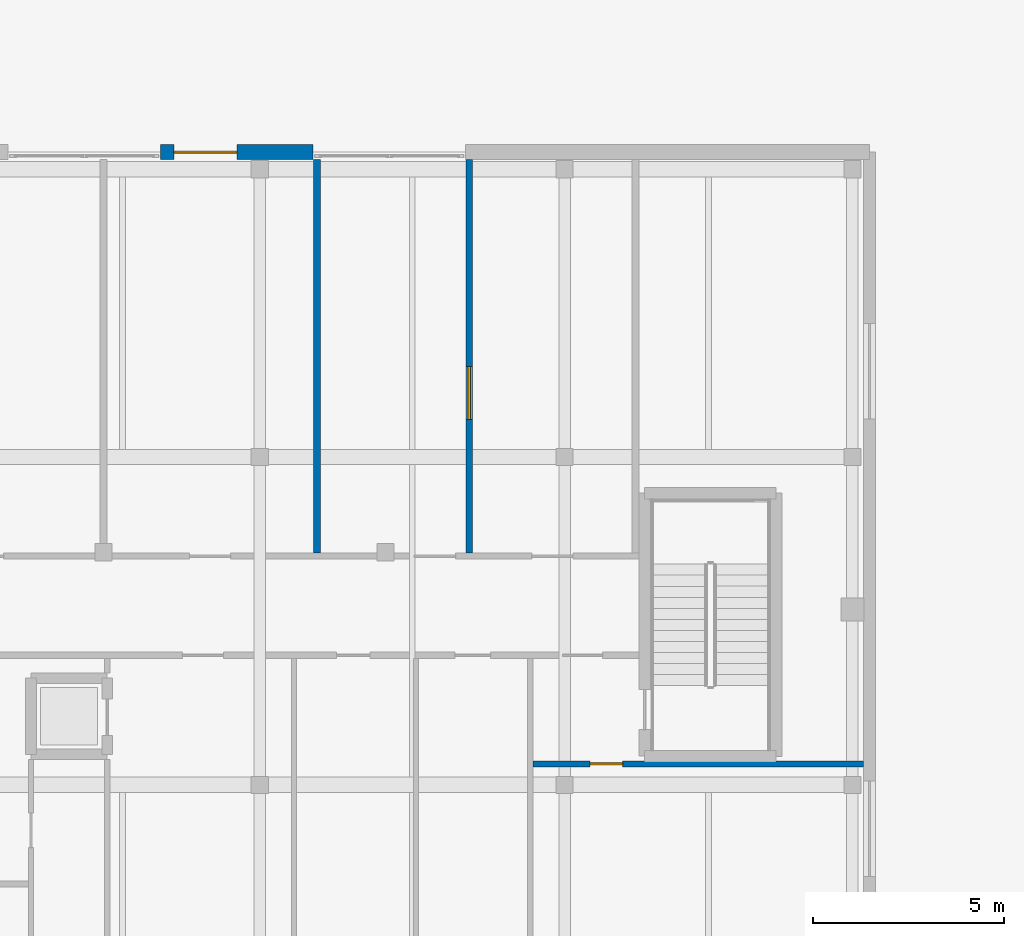
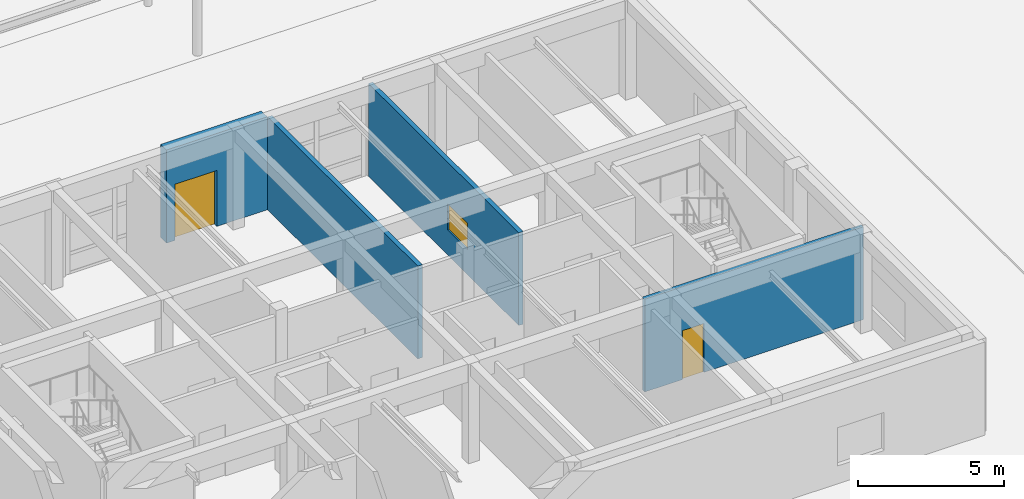
# One storey, part 72 of 114: 4 walls, 2 doors, 1 window, 3 openings.
"""IFC4 building model written with IfcOpenShell, lengths in metres."""

from ifc_helpers import new_model, si_unit, direction, frame, frame_2d, origin, place, context, subcontext, project, spatial, rectangle, extrude, material, layer, layer_set, type_object, element, fill, save


model = new_model("IFC4")

# Units and contexts
model_context = context("Model", 3, precision=1e-05, world=origin(), true_north=direction((0.0, 1.0)))
body_context = subcontext(model_context, "Body", "Model", "MODEL_VIEW")
ifc_project = project(units=[si_unit("LENGTHUNIT", "METRE"), si_unit("AREAUNIT", "SQUARE_METRE"), si_unit("VOLUMEUNIT", "CUBIC_METRE"), si_unit("PLANEANGLEUNIT", "RADIAN"), si_unit("MASSUNIT", "GRAM", prefix="KILO")], contexts=[model_context])

# Site, building, storey
site_placement = place(None, origin())
site = spatial("IfcSite", under=ifc_project, at=site_placement, CompositionType="ELEMENT")
building_placement = place(site_placement, origin())
building = spatial("IfcBuilding", under=site, at=building_placement, Name="Keldmere Railside Commons", CompositionType="ELEMENT")
storey_placement = place(building_placement, origin())
storey = spatial("IfcBuildingStorey", under=building, at=storey_placement, Name="L00", CompositionType="ELEMENT", Elevation=0.0)

# Wall
ifc_material_1 = material(Name="Acoustic Gypsum Board Partition", Category="gypsum")
ifc_layer_1 = layer(ifc_material_1, 0.179931640625, Name="Acoustic Demising Partition 180")
ifc_layer_set_1 = layer_set([ifc_layer_1], Name="Acoustic Gypsum Board Partition")
wall_type_1 = type_object("IfcWallType", Name="Acoustic Demising Partition 180", PredefinedType="PARTITIONING", material=ifc_layer_set_1)
wall_1_placement = place(storey_placement, frame((25.5, 29.47998046875, 0.0), z_axis=(0.0, 0.0, 1.0), x_axis=(0.0, 1.0, 0.0)))
element("IfcWall", 1, at=wall_1_placement, inside=storey, type_object=wall_type_1, Name="IW-1 IW-L00-0108", PredefinedType="PARTITIONING", context=body_context, shape_type="SweptSolid", body=[
    extrude(rectangle(XDim=10.320068359375, YDim=0.179931640625, at=frame_2d((5.16015625, 0.0))), origin(), (0.0, 0.0, 1.0), 3.889892578125),
])

# Wall, opening, window
wall_2_placement = place(storey_placement, frame((29.5, 29.47998046875, 0.0), z_axis=(0.0, 0.0, 1.0), x_axis=(0.0, 1.0, 0.0)))
wall_2 = element("IfcWall", 2, at=wall_2_placement, inside=storey, type_object=wall_type_1, Name="IW-1 IW-L00-0109", PredefinedType="PARTITIONING", context=body_context, shape_type="SweptSolid", body=[
    extrude(rectangle(XDim=10.320068359375, YDim=0.179931640625, at=frame_2d((5.16015625, 0.0))), origin(), (0.0, 0.0, 1.0), 3.889892578125),
])
opening_1_placement = place(wall_2_placement, frame((3.5, 0.0, 1.050048828125)))
opening_1 = element("IfcOpeningElement", 3, at=opening_1_placement, cuts=wall_2, Name="Opening WN-42", PredefinedType="OPENING", context=body_context, shape_type="SweptSolid", body=[
    extrude(rectangle(XDim=1.39990234375, YDim=1.10009765625, at=frame_2d((0.699951171875, 0.550048828125))), frame((0.0, 0.099853515625, 0.0), z_axis=(0.0, -1.0, 0.0), x_axis=(1.0, 0.0, 0.0)), (0.0, 0.0, 1.0), 0.199951171875),
])
ifc_material_2 = material(Name="Low-E Insulated Double Glazing", Category="glass")
window_type = type_object("IfcWindowType", Name="Interior Nursery Observation Borrowed-Light Window 1400x1100", PartitioningType="SINGLE_PANEL", PredefinedType="WINDOW", material=ifc_material_2)
window_placement = place(opening_1_placement, origin())
window = element("IfcWindow", 4, at=window_placement, inside=storey, type_object=window_type, Name="WN-42 Nursery Observation Window", OverallHeight=1.10009765625, OverallWidth=1.39990234375, PartitioningType="SINGLE_PANEL", PredefinedType="WINDOW", context=body_context, shape_type="SweptSolid", body=[
    extrude(rectangle(XDim=1.39990234375, YDim=1.10009765625, at=frame_2d((0.699951171875, 0.550048828125))), frame((0.0, 0.030029296875, 0.0), z_axis=(0.0, -1.0, 0.0), x_axis=(1.0, 0.0, 0.0)), (0.0, 0.0, 1.0), 0.06005859375),
])
fill(opening_1, window)

# Wall, opening, door
ifc_material_3 = material(Name="Terracotta Brick Masonry", Category="masonry")
ifc_layer_2 = layer(ifc_material_3, 0.39990234375, Name="Civic Brick Cavity Wall 400")
ifc_layer_set_2 = layer_set([ifc_layer_2], Name="Terracotta Brick Masonry")
wall_type_2 = type_object("IfcWallType", Name="Civic Brick Cavity Wall 400", PredefinedType="SOLIDWALL", material=ifc_layer_set_2)
wall_3_placement = place(storey_placement, frame((21.39990234375, 40.0, 0.0), z_axis=(0.0, 0.0, 1.0), x_axis=(1.0, 0.0, 0.0)))
wall_3 = element("IfcWall", 5, at=wall_3_placement, inside=storey, type_object=wall_type_2, Name="EW-3 NURNM-L00-0984", PredefinedType="SOLIDWALL", context=body_context, shape_type="SweptSolid", body=[
    extrude(rectangle(XDim=4.0, YDim=0.39990234375, at=frame_2d((2.0, 0.0))), origin(), (0.0, 0.0, 1.0), 3.89990234375),
])
opening_2_placement = place(wall_3_placement, frame((0.35009765625, 0.0, 0.0)))
opening_2 = element("IfcOpeningElement", 6, at=opening_2_placement, cuts=wall_3, Name="Opening ED-05", PredefinedType="OPENING", context=body_context, shape_type="SweptSolid", body=[
    extrude(rectangle(XDim=1.64990234375, YDim=2.35009765625, at=frame_2d((0.824951171875, 1.175048828125))), frame((0.0, 0.2099609375, 0.0), z_axis=(0.0, -1.0, 0.0), x_axis=(1.0, 0.0, 0.0)), (0.0, 0.0, 1.0), 0.419921875),
])
ifc_material_4 = material(Name="Thermally Broken Aluminium", Category="aluminium")
door_type_1 = type_object("IfcDoorType", Name="Nursery Pavilion Entrance Double Door 1650x2350", OperationType="DOUBLE_DOOR_SINGLE_SWING", PredefinedType="DOOR", material=ifc_material_4)
door_1_placement = place(opening_2_placement, origin())
door_1 = element("IfcDoor", 7, at=door_1_placement, inside=storey, type_object=door_type_1, Name="ED-05 DR-L00-0297", OperationType="DOUBLE_DOOR_SINGLE_SWING", OverallHeight=2.35009765625, OverallWidth=1.64990234375, PredefinedType="DOOR", context=body_context, shape_type="SweptSolid", body=[
    extrude(rectangle(XDim=1.64990234375, YDim=2.35009765625, at=frame_2d((0.824951171875, 1.175048828125))), frame((0.0, 0.02490234375, 0.0), z_axis=(0.0, -1.0, 0.0), x_axis=(1.0, 0.0, 0.0)), (0.0, 0.0, 1.0), 0.050048828125),
])
fill(opening_2, door_1)

ifc_layer_3 = layer(ifc_material_1, 0.159912109375, Name="Corridor Fire Partition 160")
ifc_layer_set_3 = layer_set([ifc_layer_3], Name="Acoustic Gypsum Board Partition")
wall_type_3 = type_object("IfcWallType", Name="Corridor Fire Partition 160", PredefinedType="PARTITIONING", material=ifc_layer_set_3)
wall_4_placement = place(storey_placement, frame((31.169921875, 23.949951171875, 0.0), z_axis=(0.0, 0.0, 1.0), x_axis=(1.0, 0.0, 0.0)))
wall_4 = element("IfcWall", 8, at=wall_4_placement, inside=storey, type_object=wall_type_3, Name="IW-2 IW-L00-0112", PredefinedType="PARTITIONING", context=body_context, shape_type="SweptSolid", body=[
    extrude(rectangle(XDim=8.670166015625, YDim=0.159912109375, at=frame_2d((4.3349609375, 0.0))), origin(), (0.0, 0.0, 1.0), 3.889892578125),
])
opening_3_placement = place(wall_4_placement, frame((1.5, 0.0, 0.0)))
opening_3 = element("IfcOpeningElement", 9, at=opening_3_placement, cuts=wall_4, Name="Opening ID-06", PredefinedType="OPENING", context=body_context, shape_type="SweptSolid", body=[
    extrude(rectangle(XDim=0.85009765625, YDim=2.050048828125, at=frame_2d((0.425048828125, 1.02490234375))), frame((0.0, 0.08984375, 0.0), z_axis=(0.0, -1.0, 0.0), x_axis=(1.0, 0.0, 0.0)), (0.0, 0.0, 1.0), 0.179931640625),
])
ifc_material_5 = material(Name="Engineered Oak Timber", Category="wood")
door_type_2 = type_object("IfcDoorType", Name="Storage Closet Door 850x2050", OperationType="NOTDEFINED", PredefinedType="DOOR", material=ifc_material_5)
door_2_placement = place(opening_3_placement, origin())
door_2 = element("IfcDoor", 10, at=door_2_placement, inside=storey, type_object=door_type_2, Name="ID-06 IDR-L00-0043", OperationType="SINGLE_SWING_LEFT", OverallHeight=2.050048828125, OverallWidth=0.85009765625, PredefinedType="DOOR", context=body_context, shape_type="SweptSolid", body=[
    extrude(rectangle(XDim=0.85009765625, YDim=2.050048828125, at=frame_2d((0.425048828125, 1.02490234375))), frame((0.0, 0.02490234375, 0.0), z_axis=(0.0, -1.0, 0.0), x_axis=(1.0, 0.0, 0.0)), (0.0, 0.0, 1.0), 0.050048828125),
])
fill(opening_3, door_2)

save(model, "model.ifc")
